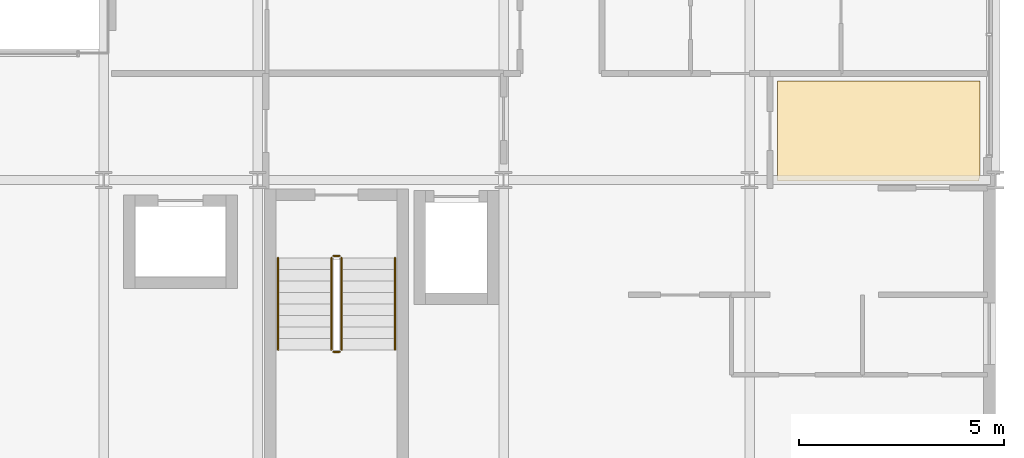
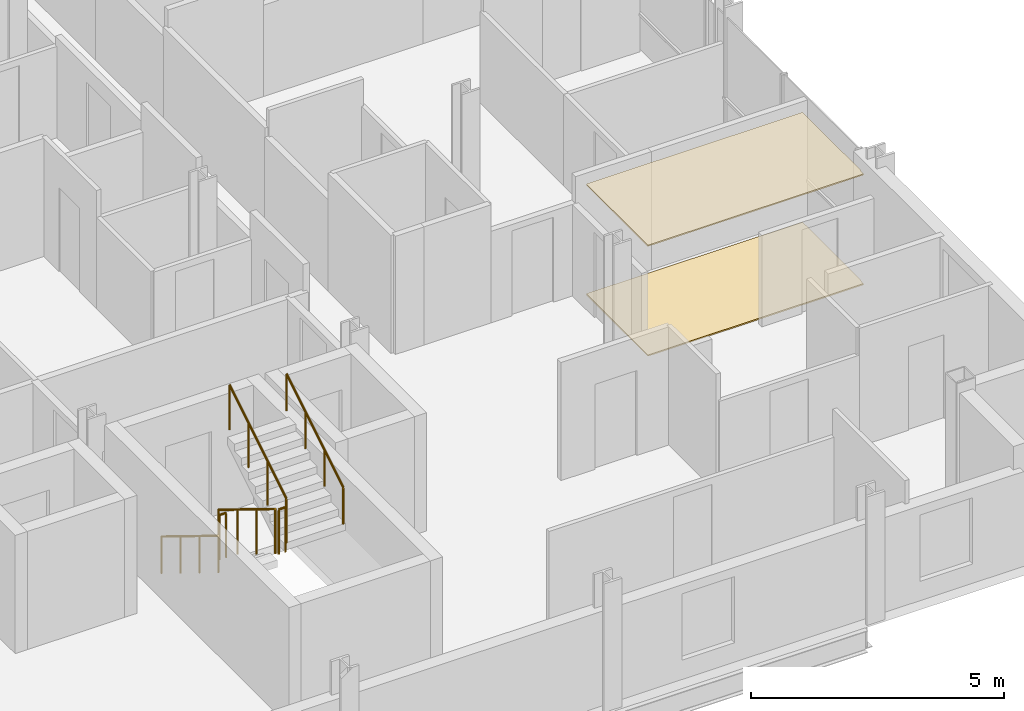
# One storey, part 39 of 40: 6 railings, 2 coverings.
"""IFC4 building model written with IfcOpenShell, lengths in metres."""

from ifc_helpers import new_model, si_unit, direction, frame, origin, origin_2d, place, context, subcontext, project, spatial, polyline, circle, outline, extrude, material, layer, layer_set, type_object, element, save


model = new_model("IFC4")

# Units and contexts
model_context = context("Model", 3, precision=1e-05, world=origin(), true_north=direction((0.0, 1.0)))
body_context = subcontext(model_context, "Body", "Model", "MODEL_VIEW")
ifc_project = project(units=[si_unit("LENGTHUNIT", "METRE"), si_unit("AREAUNIT", "SQUARE_METRE"), si_unit("VOLUMEUNIT", "CUBIC_METRE"), si_unit("PLANEANGLEUNIT", "RADIAN"), si_unit("MASSUNIT", "GRAM", prefix="KILO")], contexts=[model_context])

# Site, building, storey
site_placement = place(None, origin())
site = spatial("IfcSite", under=ifc_project, at=site_placement, CompositionType="ELEMENT")
building_placement = place(site_placement, origin())
building = spatial("IfcBuilding", under=site, at=building_placement, Name="Brevholm Reach", CompositionType="ELEMENT")
storey_placement = place(building_placement, frame((0.0, 0.0, 131.39990234375)))
storey = spatial("IfcBuildingStorey", under=building, at=storey_placement, Name="L39", CompositionType="ELEMENT", Elevation=131.39990234375)

# Coverings
ifc_material_1 = material(Name="Moisture-Resistant Skimmed Gypsum Plasterboard Ceiling", Category="gypsum")
ifc_layer_1 = layer(ifc_material_1, 0.030029296875)
ifc_layer_set_1 = layer_set([ifc_layer_1], Name="Moisture-Resistant Skimmed Gypsum Plasterboard Ceiling")
covering_type_1 = type_object("IfcCoveringType", Name="COV-CLG-GYP", PredefinedType="CEILING", material=ifc_layer_set_1)
covering_1_placement = place(storey_placement, frame((0.0, 0.0, 2.650146484375)))
element("IfcCovering", 1, at=covering_1_placement, inside=storey, type_object=covering_type_1, Name="L39 Suspended Ceiling L39-35", PredefinedType="CEILING", context=body_context, shape_type="SweptSolid", body=[
    extrude(outline(polyline([(59.6201171875, 12.419921875), (59.6201171875, 10.123779296875), (59.6171875, 10.1162109375), (59.607666015625, 10.077880859375), (59.601806640625, 10.039306640625), (59.60009765625, 10.0), (59.60107421875, 9.97998046875), (54.68408203125, 9.97998046875), (54.68408203125, 12.419921875), (59.6201171875, 12.419921875)])), origin(), (0.0, 0.0, 1.0), 0.030029296875),
])
ifc_material_2 = material(Name="Honed Portland-Aggregate Resin Terrazzo Flooring", Category="concrete")
ifc_layer_2 = layer(ifc_material_2, 0.031982421875)
ifc_layer_set_2 = layer_set([ifc_layer_2], Name="Honed Portland-Aggregate Resin Terrazzo Flooring")
covering_type_2 = type_object("IfcCoveringType", Name="COV-FLR-TRZ", PredefinedType="FLOORING", material=ifc_layer_set_2)
covering_2_placement = place(storey_placement, origin())
element("IfcCovering", 2, at=covering_2_placement, inside=storey, type_object=covering_type_2, Name="L39 Floor Finish L39-35", PredefinedType="FLOORING", context=body_context, shape_type="SweptSolid", body=[
    extrude(outline(polyline([(59.6201171875, 12.419921875), (59.6201171875, 10.123779296875), (59.6171875, 10.1162109375), (59.607666015625, 10.077880859375), (59.601806640625, 10.039306640625), (59.60009765625, 10.0), (59.60107421875, 9.97998046875), (54.68408203125, 9.97998046875), (54.68408203125, 12.419921875), (59.6201171875, 12.419921875)])), origin(), (0.0, 0.0, 1.0), 0.031982421875),
])

# Railings
ifc_material_3 = material(Name="Brushed Stainless Steel EN 1.4401 Continuous Handrail", Category="steel")
railing_type_1 = type_object("IfcRailingType", Name="RAL-HND-950", PredefinedType="HANDRAIL", material=ifc_material_3)
railing_1_placement = place(storey_placement, frame((42.5, 8.10009765625, 0.17236328125)))
element("IfcRailing", 3, at=railing_1_placement, inside=storey, type_object=railing_type_1, Name="L39 ST-2 stair handrail 1", PredefinedType="HANDRAIL", context=body_context, shape_type="SweptSolid", body=[
    extrude(circle(Radius=0.02392578125, at=origin_2d()), frame((0.0, 0.0, 0.8857421875), z_axis=(0.0, -0.85178898068, 0.523885037382), x_axis=(1.0, 0.0, 0.0)), (0.0, 0.0, 1.0), 2.629638671875),
    extrude(circle(Radius=0.02099609375, at=origin_2d()), origin(), (0.0, 0.0, 1.0), 0.86181640625),
    extrude(circle(Radius=0.02099609375, at=origin_2d()), frame((0.0, -0.74658203125, 0.459228515625)), (0.0, 0.0, 1.0), 0.86181640625),
    extrude(circle(Radius=0.02099609375, at=origin_2d()), frame((0.0, -1.493408203125, 0.91845703125)), (0.0, 0.0, 1.0), 0.86181640625),
    extrude(circle(Radius=0.02099609375, at=origin_2d()), frame((0.0, -2.239990234375, 1.377685546875)), (0.0, 0.0, 1.0), 0.86181640625),
])
railing_2_placement = place(storey_placement, frame((45.35009765625, 5.860107421875, 1.722412109375)))
element("IfcRailing", 4, at=railing_2_placement, inside=storey, type_object=railing_type_1, Name="L39 ST-2 stair handrail 2", PredefinedType="HANDRAIL", context=body_context, shape_type="SweptSolid", body=[
    extrude(circle(Radius=0.02392578125, at=origin_2d()), frame((0.0, 0.0, 0.8857421875), z_axis=(0.0, 0.85178898068, 0.523885037382), x_axis=(-1.0, 0.0, 0.0)), (0.0, 0.0, 1.0), 2.629638671875),
    extrude(circle(Radius=0.02099609375, at=origin_2d()), origin(), (0.0, 0.0, 1.0), 0.86181640625),
    extrude(circle(Radius=0.02099609375, at=origin_2d()), frame((0.0, 0.74658203125, 0.459228515625)), (0.0, 0.0, 1.0), 0.86181640625),
    extrude(circle(Radius=0.02099609375, at=origin_2d()), frame((0.0, 1.493408203125, 0.91845703125)), (0.0, 0.0, 1.0), 0.86181640625),
    extrude(circle(Radius=0.02099609375, at=origin_2d()), frame((0.0, 2.239990234375, 1.377685546875)), (0.0, 0.0, 1.0), 0.86181640625),
])
ifc_material_4 = material(Name="Painted Tubular Galvanised Steel S275JR Stair Guard", Category="steel")
railing_type_2 = type_object("IfcRailingType", Name="RAL-STG-1120", PredefinedType="BALUSTRADE", material=ifc_material_4)
railing_3_placement = place(storey_placement, frame((43.800048828125, 8.10009765625, 0.17236328125)))
element("IfcRailing", 5, at=railing_3_placement, inside=storey, type_object=railing_type_2, Name="L39 ST-2 stair guard 1", PredefinedType="BALUSTRADE", context=body_context, shape_type="SweptSolid", body=[
    extrude(circle(Radius=0.02392578125, at=origin_2d()), frame((0.0, 0.0, 1.076171875), z_axis=(0.0, -0.85178898068, 0.523885037382), x_axis=(1.0, 0.0, 0.0)), (0.0, 0.0, 1.0), 2.629638671875),
    extrude(circle(Radius=0.02099609375, at=origin_2d()), origin(), (0.0, 0.0, 1.0), 1.052001953125),
    extrude(circle(Radius=0.02099609375, at=origin_2d()), frame((0.0, -0.74658203125, 0.459228515625)), (0.0, 0.0, 1.0), 1.052001953125),
    extrude(circle(Radius=0.02099609375, at=origin_2d()), frame((0.0, -1.493408203125, 0.91845703125)), (0.0, 0.0, 1.0), 1.052001953125),
    extrude(circle(Radius=0.02099609375, at=origin_2d()), frame((0.0, -2.239990234375, 1.377685546875)), (0.0, 0.0, 1.0), 1.052001953125),
])
railing_4_placement = place(storey_placement, frame((43.85009765625, 5.81005859375, 1.550048828125)))
element("IfcRailing", 6, at=railing_4_placement, inside=storey, type_object=railing_type_2, Name="L39 ST-2 stair guard 2", PredefinedType="BALUSTRADE", context=body_context, shape_type="SweptSolid", body=[
    extrude(circle(Radius=0.02392578125, at=origin_2d()), frame((0.0, 0.0, 1.076171875), z_axis=(1.0, 0.0, 0.0), x_axis=(0.0, 1.0, 0.0)), (0.0, 0.0, 1.0), 0.14990234375),
    extrude(circle(Radius=0.02099609375, at=origin_2d()), origin(), (0.0, 0.0, 1.0), 1.052001953125),
    extrude(circle(Radius=0.02099609375, at=origin_2d()), frame((0.14990234375, 0.0, 0.0)), (0.0, 0.0, 1.0), 1.052001953125),
])
railing_5_placement = place(storey_placement, frame((44.050048828125, 5.860107421875, 1.722412109375)))
element("IfcRailing", 7, at=railing_5_placement, inside=storey, type_object=railing_type_2, Name="L39 ST-2 stair guard 3", PredefinedType="BALUSTRADE", context=body_context, shape_type="SweptSolid", body=[
    extrude(circle(Radius=0.02392578125, at=origin_2d()), frame((0.0, 0.0, 1.076171875), z_axis=(0.0, 0.85178898068, 0.523885037382), x_axis=(-1.0, 0.0, 0.0)), (0.0, 0.0, 1.0), 2.629638671875),
    extrude(circle(Radius=0.02099609375, at=origin_2d()), origin(), (0.0, 0.0, 1.0), 1.052001953125),
    extrude(circle(Radius=0.02099609375, at=origin_2d()), frame((0.0, 0.74658203125, 0.459228515625)), (0.0, 0.0, 1.0), 1.052001953125),
    extrude(circle(Radius=0.02099609375, at=origin_2d()), frame((0.0, 1.493408203125, 0.91845703125)), (0.0, 0.0, 1.0), 1.052001953125),
    extrude(circle(Radius=0.02099609375, at=origin_2d()), frame((0.0, 2.239990234375, 1.377685546875)), (0.0, 0.0, 1.0), 1.052001953125),
])
railing_6_placement = place(storey_placement, frame((43.85009765625, 8.14990234375, 0.0)))
element("IfcRailing", 8, at=railing_6_placement, inside=storey, type_object=railing_type_2, Name="L39 ST-2 stair guard 4", PredefinedType="BALUSTRADE", context=body_context, shape_type="SweptSolid", body=[
    extrude(circle(Radius=0.02392578125, at=origin_2d()), frame((0.0, 0.0, 1.076171875), z_axis=(1.0, 0.0, 0.0), x_axis=(0.0, 1.0, 0.0)), (0.0, 0.0, 1.0), 0.14990234375),
    extrude(circle(Radius=0.02099609375, at=origin_2d()), origin(), (0.0, 0.0, 1.0), 1.052001953125),
    extrude(circle(Radius=0.02099609375, at=origin_2d()), frame((0.14990234375, 0.0, 0.0)), (0.0, 0.0, 1.0), 1.052001953125),
])

save(model, "model.ifc")
